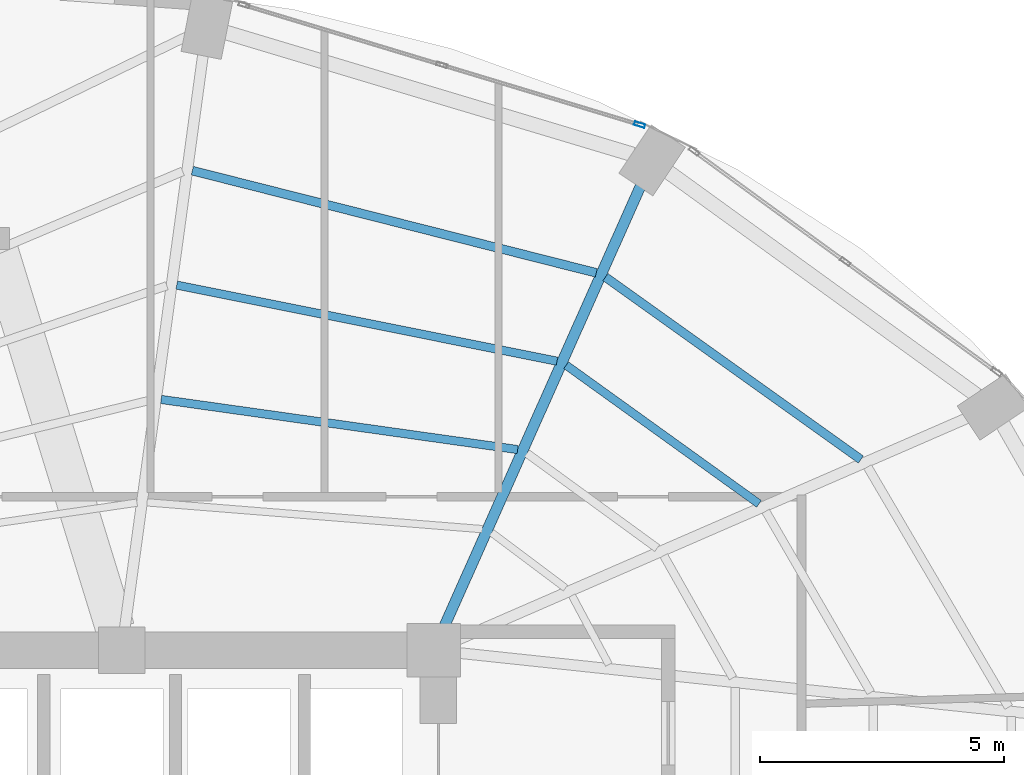
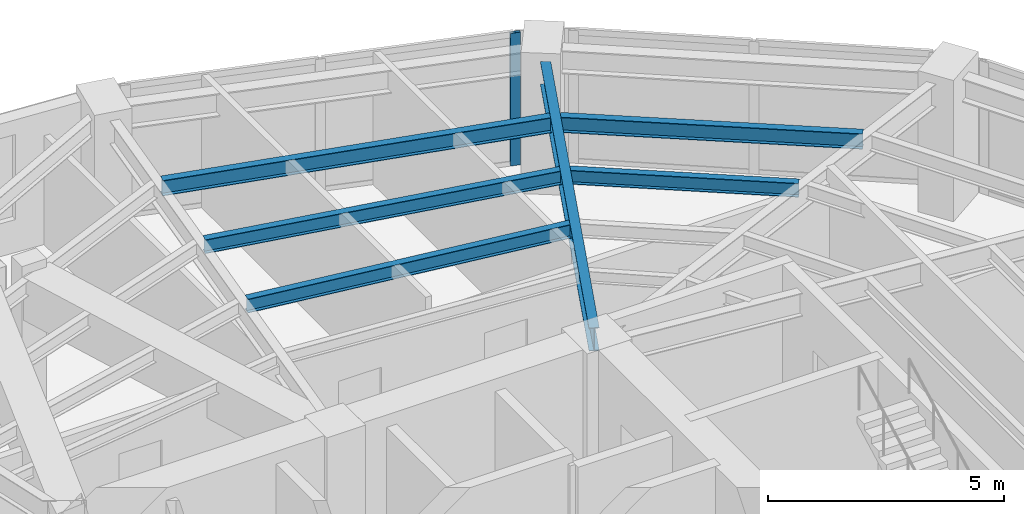
# One storey, part 16 of 23: 6 beams, 1 member, 1 element without a shape of its own.
"""IFC4 building model written with IfcOpenShell, lengths in metres."""

from ifc_helpers import new_model, si_unit, direction, frame, origin, origin_2d, place, context, subcontext, project, spatial, hollow_rectangle, i_section, extrude, material, layer, layer_set, material_profile, profile_set, type_object, element, aggregate, save


model = new_model("IFC4")

# Units and contexts
model_context = context("Model", 3, precision=1e-05, world=origin(), true_north=direction((0.0, 1.0)))
body_context = subcontext(model_context, "Body", "Model", "MODEL_VIEW")
ifc_project = project(units=[si_unit("LENGTHUNIT", "METRE"), si_unit("AREAUNIT", "SQUARE_METRE"), si_unit("VOLUMEUNIT", "CUBIC_METRE"), si_unit("PLANEANGLEUNIT", "RADIAN"), si_unit("MASSUNIT", "GRAM", prefix="KILO")], contexts=[model_context])

# Site, building, storey
site_placement = place(None, origin())
site = spatial("IfcSite", under=ifc_project, at=site_placement, CompositionType="ELEMENT")
building_placement = place(site_placement, origin())
building = spatial("IfcBuilding", under=site, at=building_placement, Name="Lazwardi Medical Tower", CompositionType="ELEMENT")
storey_placement = place(building_placement, frame((0.0, 0.0, 81.743896484375)))
storey = spatial("IfcBuildingStorey", under=building, at=storey_placement, Name="L20", CompositionType="ELEMENT", Elevation=81.743896484375)

# Beams
ifc_material_1 = material(Name="Steel S355", Category="steel")
ifc_material_profile_1 = material_profile(ifc_material_1, i_section(OverallWidth=0.219970703125, OverallDepth=0.60009765625, WebThickness=0.011962890625, FlangeThickness=0.01904296875, at=origin_2d()), Name="IPE 600")
ifc_profile_set_1 = profile_set([ifc_material_profile_1], Name="Steel S355")
beam_type_1 = type_object("IfcBeamType", Name="BM-RG-W1", PredefinedType="BEAM", material=ifc_profile_set_1)
beam_1_placement = place(storey_placement, frame((49.847412109375, 45.127685546875, 3.128173828125), z_axis=(-0.407165924957, -0.913354208155, 0.0), x_axis=(0.913354208155, -0.407165924957, 0.0)))
element("IfcBeam", 1, at=beam_1_placement, inside=storey, type_object=beam_type_1, Name="Radial girder RG-02 R07 L20", PredefinedType="BEAM", context=body_context, shape_type="SweptSolid", body=[
    extrude(i_section(OverallWidth=0.219970703125, OverallDepth=0.60009765625, WebThickness=0.011962890625, FlangeThickness=0.01904296875, at=origin_2d()), origin(), (0.0, 0.0, 1.0), 9.896484375),
])
ifc_material_profile_2 = material_profile(ifc_material_1, i_section(OverallWidth=0.179931640625, OverallDepth=0.39990234375, WebThickness=0.008544921875, FlangeThickness=0.013427734375, at=origin_2d()), Name="IPE 400")
ifc_profile_set_2 = profile_set([ifc_material_profile_2], Name="Steel S355")
beam_type_2 = type_object("IfcBeamType", Name="BM-SJ-01", PredefinedType="JOIST", material=ifc_profile_set_2)
beam_2_placement = place(storey_placement, frame((54.369384765625, 39.514404296875, 3.22802734375), z_axis=(-0.813748834317, 0.581216684763, 0.0), x_axis=(-0.581216684763, -0.813748834317, 0.0)))
element("IfcBeam", 2, at=beam_2_placement, inside=storey, type_object=beam_type_2, Name="Secondary joist SJ-01 R1 B06 L20", PredefinedType="JOIST", context=body_context, shape_type="SweptSolid", body=[
    extrude(i_section(OverallWidth=0.179931640625, OverallDepth=0.39990234375, WebThickness=0.008544921875, FlangeThickness=0.013427734375, at=origin_2d()), origin(), (0.0, 0.0, 1.0), 6.4423828125),
])
beam_3_placement = place(storey_placement, frame((48.939697265625, 43.345703125, 3.22802734375), z_axis=(-0.96945186753, 0.245281626997, 0.0), x_axis=(-0.245281626997, -0.96945186753, 0.0)))
element("IfcBeam", 3, at=beam_3_placement, inside=storey, type_object=beam_type_2, Name="Secondary joist SJ-01 R1 B07 L20", PredefinedType="JOIST", context=body_context, shape_type="SweptSolid", body=[
    extrude(i_section(OverallWidth=0.179931640625, OverallDepth=0.39990234375, WebThickness=0.008544921875, FlangeThickness=0.013427734375, at=origin_2d()), origin(), (0.0, 0.0, 1.0), 8.552978515625),
])
ifc_material_profile_3 = material_profile(ifc_material_1, i_section(OverallWidth=0.169921875, OverallDepth=0.360107421875, WebThickness=0.008056640625, FlangeThickness=0.0126953125, at=origin_2d()), Name="IPE 360")
ifc_profile_set_3 = profile_set([ifc_material_profile_3], Name="Steel S355")
beam_type_3 = type_object("IfcBeamType", Name="BM-SJ-02", PredefinedType="JOIST", material=ifc_profile_set_3)
beam_4_placement = place(storey_placement, frame((52.278564453125, 38.604736328125, 3.248046875), z_axis=(-0.811888517177, 0.583812500446, 0.0), x_axis=(-0.583812500446, -0.811888517177, 0.0)))
element("IfcBeam", 4, at=beam_4_placement, inside=storey, type_object=beam_type_3, Name="Secondary joist SJ-02 R2 B06 L20", PredefinedType="JOIST", context=body_context, shape_type="SweptSolid", body=[
    extrude(i_section(OverallWidth=0.169921875, OverallDepth=0.360107421875, WebThickness=0.008056640625, FlangeThickness=0.0126953125, at=origin_2d()), origin(), (0.0, 0.0, 1.0), 4.874755859375),
])
beam_5_placement = place(storey_placement, frame((48.1328125, 41.53271484375, 3.248046875), z_axis=(-0.980542906584, 0.196304886203, 0.0), x_axis=(-0.196304886203, -0.980542906584, 0.0)))
element("IfcBeam", 5, at=beam_5_placement, inside=storey, type_object=beam_type_3, Name="Secondary joist SJ-02 R2 B07 L20", PredefinedType="JOIST", context=body_context, shape_type="SweptSolid", body=[
    extrude(i_section(OverallWidth=0.169921875, OverallDepth=0.360107421875, WebThickness=0.008056640625, FlangeThickness=0.0126953125, at=origin_2d()), origin(), (0.0, 0.0, 1.0), 7.95947265625),
])
beam_6_placement = place(storey_placement, frame((47.32568359375, 39.718994140625, 3.248046875), z_axis=(-0.990260920731, 0.139223952222, 0.0), x_axis=(-0.139223952222, -0.990260920731, 0.0)))
element("IfcBeam", 6, at=beam_6_placement, inside=storey, type_object=beam_type_3, Name="Secondary joist SJ-02 R3 B07 L20", PredefinedType="JOIST", context=body_context, shape_type="SweptSolid", body=[
    extrude(i_section(OverallWidth=0.169921875, OverallDepth=0.360107421875, WebThickness=0.008056640625, FlangeThickness=0.0126953125, at=origin_2d()), origin(), (0.0, 0.0, 1.0), 7.3896484375),
])

# Curtain wall, member
ifc_material_2 = material(Name="Anodised bronze aluminium and solar control glazing", Category="aluminium")
ifc_layer = layer(ifc_material_2, 0.195068359375)
ifc_layer_set = layer_set([ifc_layer], Name="Anodised bronze aluminium and solar control glazing")
curtain_wall_type = type_object("IfcCurtainWallType", Name="CW-SYS-03", PredefinedType="NOTDEFINED", material=ifc_layer_set)
curtain_wall_placement = place(storey_placement, origin())
curtain_wall = element("IfcCurtainWall", 7, at=curtain_wall_placement, inside=storey, type_object=curtain_wall_type, Name="L20 Unitised bronze curtain wall CW-03", PredefinedType="NOTDEFINED")
ifc_material_3 = material(Name="Anodised bronze aluminium", Category="aluminium")
ifc_material_profile_4 = material_profile(ifc_material_3, hollow_rectangle(XDim=0.074951171875, YDim=0.219970703125, WallThickness=0.00390625, at=origin_2d()), Name="ALU-MULLION 220x75x4")
ifc_profile_set_4 = profile_set([ifc_material_profile_4], Name="Anodised bronze aluminium")
member_type = type_object("IfcMemberType", Name="CW-MUL-01", PredefinedType="MULLION", material=ifc_profile_set_4)
member_placement = place(storey_placement, frame((49.828369140625, 46.385986328125, 0.0), z_axis=(0.0, 0.0, 1.0), x_axis=(-0.28937381157, -0.957216170558, 0.0)))
member = element("IfcMember", 8, at=member_placement, type_object=member_type, Name="CW-03 mullion 1", PredefinedType="MULLION", context=body_context, shape_type="SweptSolid", body=[
    extrude(hollow_rectangle(XDim=0.074951171875, YDim=0.219970703125, WallThickness=0.00390625, at=origin_2d()), origin(), (0.0, 0.0, 1.0), 3.42822265625),
])
aggregate(curtain_wall, [member])

save(model, "model.ifc")
